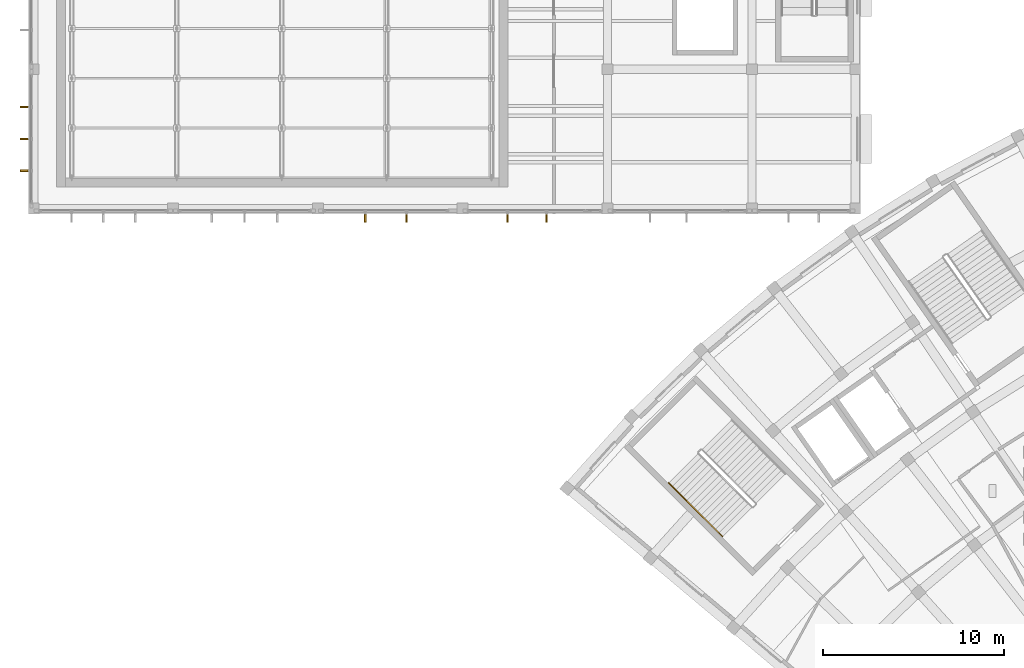
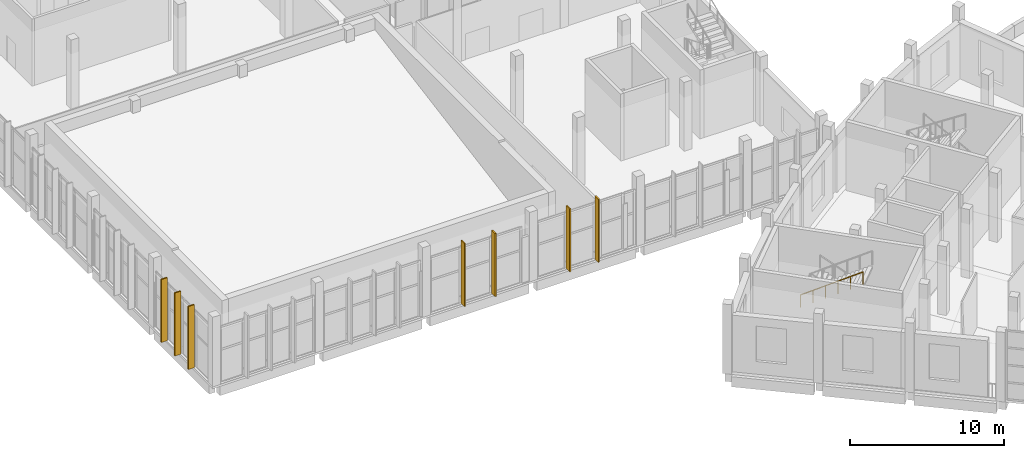
# One storey, part 103 of 132: 7 shading devices, 1 railing.
"""IFC4 building model written with IfcOpenShell, lengths in metres."""

from ifc_helpers import new_model, si_unit, direction, frame, origin, origin_2d, place, context, subcontext, project, spatial, rectangle, circle, extrude, material, type_object, element, save


model = new_model("IFC4")

# Units and contexts
model_context = context("Model", 3, precision=1e-05, world=origin(), true_north=direction((0.0, 1.0)))
body_context = subcontext(model_context, "Body", "Model", "MODEL_VIEW")
ifc_project = project(units=[si_unit("LENGTHUNIT", "METRE"), si_unit("AREAUNIT", "SQUARE_METRE"), si_unit("VOLUMEUNIT", "CUBIC_METRE"), si_unit("PLANEANGLEUNIT", "RADIAN"), si_unit("MASSUNIT", "GRAM", prefix="KILO")], contexts=[model_context])

# Site, building, storey
site_placement = place(None, origin())
site = spatial("IfcSite", under=ifc_project, at=site_placement, CompositionType="ELEMENT")
building_placement = place(site_placement, origin())
building = spatial("IfcBuilding", under=site, at=building_placement, Name="Lunette Opera House", CompositionType="ELEMENT")
storey_placement = place(building_placement, frame((0.0, 0.0, 17.0)))
storey = spatial("IfcBuildingStorey", under=building, at=storey_placement, Name="L03", CompositionType="ELEMENT", Elevation=17.0)

# Shading devices
ifc_material_1 = material(Name="Powder-coated aluminium", Category="aluminium")
shading_device_type = type_object("IfcShadingDeviceType", Name="SOLAR FIN 100 X 450", PredefinedType="USERDEFINED", material=ifc_material_1)
for number, where, z_axis, x_axis, name in (
    (1, (7.76708984375, 69.909912109375, 0.115234375), (0.0, 0.0, 1.0), (-1.0, 0.0, 0.0), "Solar fin RW-X2048 1"),
    (2, (7.76708984375, 68.14990234375, 0.115234375), (0.0, 0.0, 1.0), (-1.0, 0.0, 0.0), "Solar fin RW-X2048 2"),
    (3, (7.76708984375, 66.389892578125, 0.115234375), (0.0, 0.0, 1.0), (-1.0, 0.0, 0.0), "Solar fin RW-X2048 3"),
    (4, (26.614013671875, 63.76806640625, 0.115234375), (0.0, 0.0, 1.0), (0.0, -1.0, 0.0), "Solar fin RW-X2051 1"),
    (5, (28.89892578125, 63.76806640625, 0.115234375), (0.0, 0.0, 1.0), (0.0, -1.0, 0.0), "Solar fin RW-X2051 2"),
    (6, (34.48291015625, 63.76806640625, 0.115234375), (0.0, 0.0, 1.0), (0.0, -1.0, 0.0), "Solar fin RW-X2052 1"),
    (7, (36.635009765625, 63.76806640625, 0.115234375), (0.0, 0.0, 1.0), (0.0, -1.0, 0.0), "Solar fin RW-X2052 2"),
):
    element("IfcShadingDevice", number, at=place(storey_placement, frame(where, z_axis=z_axis, x_axis=x_axis)), inside=storey, type_object=shading_device_type, Name=name, ObjectType="SOLAR FIN", PredefinedType="USERDEFINED", context=body_context, shape_type="SweptSolid", body=[
        extrude(rectangle(XDim=0.449951171875, YDim=0.10009765625, at=origin_2d()), origin(), (0.0, 0.0, 1.0), 4.985107421875),
    ])

# Railing
ifc_material_2 = material(Name="Steel S355", Category="steel")
railing_type = type_object("IfcRailingType", Name="STAIR HANDRAIL 1000", PredefinedType="HANDRAIL", material=ifc_material_2)
railing_placement = place(storey_placement, frame((43.391357421875, 49.1435546875, 2.921875)))
element("IfcRailing", 8, at=railing_placement, inside=storey, type_object=railing_type, Name="L03 ST1 stair handrail 2", PredefinedType="HANDRAIL", context=body_context, shape_type="SweptSolid", body=[
    extrude(circle(Radius=0.02392578125, at=origin_2d()), frame((0.0, 0.0, 0.97607421875), z_axis=(0.602635448971, -0.602635448971, 0.523126209711), x_axis=(0.707106781187, 0.707106781187, 0.0)), (0.0, 0.0, 1.0), 4.92822265625),
    extrude(circle(Radius=0.02099609375, at=origin_2d()), origin(), (0.0, 0.0, 1.0), 0.951904296875),
    extrude(circle(Radius=0.02099609375, at=origin_2d()), frame((0.593994140625, -0.593994140625, 0.515625)), (0.0, 0.0, 1.0), 0.951904296875),
    extrude(circle(Radius=0.02099609375, at=origin_2d()), frame((1.18798828125, -1.18798828125, 1.03125)), (0.0, 0.0, 1.0), 0.951904296875),
    extrude(circle(Radius=0.02099609375, at=origin_2d()), frame((1.781982421875, -1.781982421875, 1.546875)), (0.0, 0.0, 1.0), 0.951904296875),
    extrude(circle(Radius=0.02099609375, at=origin_2d()), frame((2.3759765625, -2.3759765625, 2.0625)), (0.0, 0.0, 1.0), 0.951904296875),
    extrude(circle(Radius=0.02099609375, at=origin_2d()), frame((2.969970703125, -2.969970703125, 2.578125)), (0.0, 0.0, 1.0), 0.951904296875),
])

save(model, "model.ifc")
